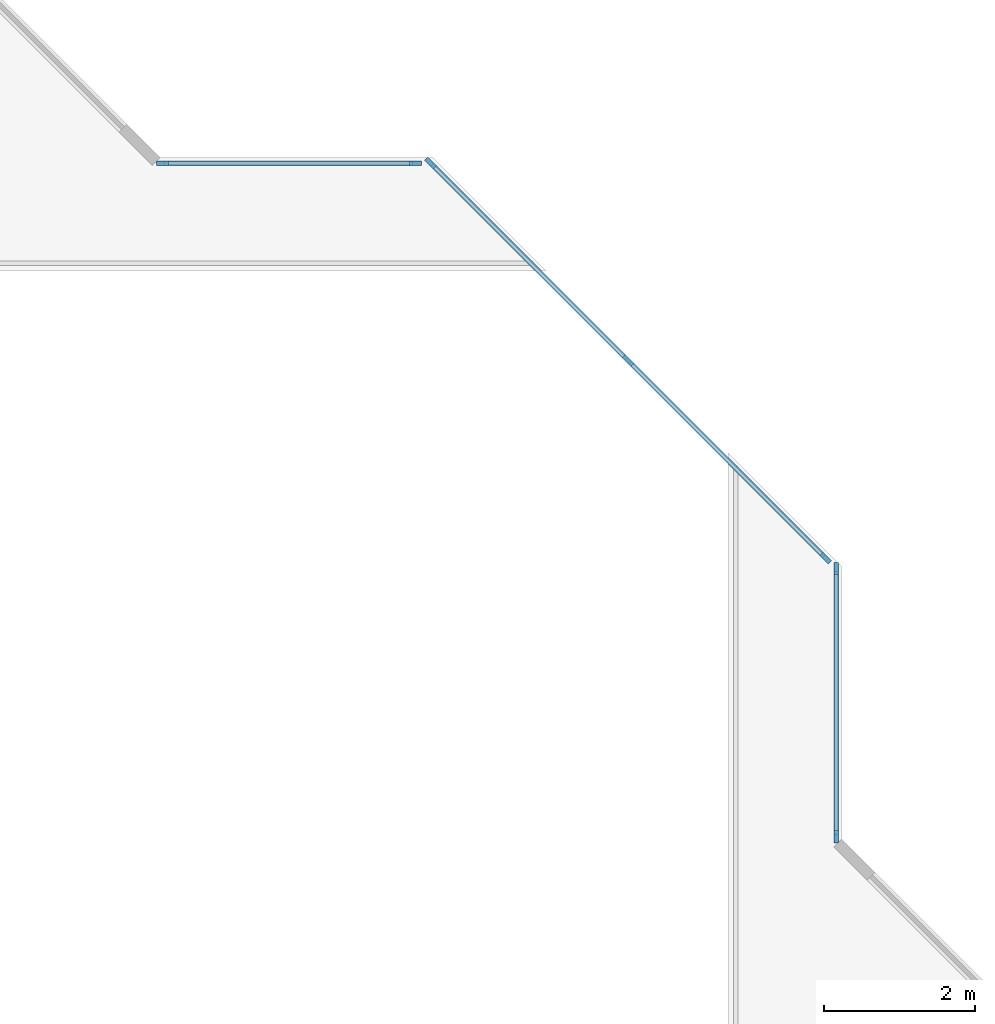
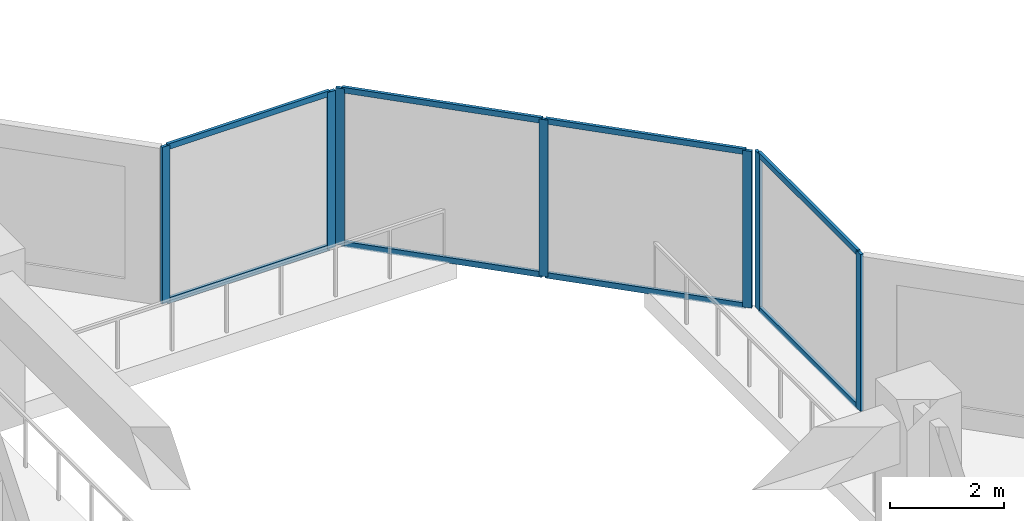
# One storey, part 2 of 15: 15 members, 3 elements without a shape of their own.
"""IFC4 building model written with IfcOpenShell, lengths in metres."""

import ifcopenshell
import ifcopenshell.guid

model = None  # the IFC model being written
_history = None  # IfcOwnerHistory: only IFC2X3 demands one
_inside = {}  # id of a spatial element -> (the spatial element, [elements in it])
_under = {}  # id of a project, library or spatial element -> (it, [spatial elements below it])
_declared = {}  # id of a project -> (the project, [libraries it declares])
_typed = {}  # id of a type object -> (the type object, [elements of that type])
_made_of = {}  # id of a material, layer set ... -> (it, [elements and type objects made of it])


def new_model(schema):
    """Start an empty IFC model of exactly this schema.

    Asked for "IFC4X3", IfcOpenShell would pick the latest addendum, in which some entities
    have other attributes; the version numbers below select the first issue.
    IFC2X3 requires an IfcOwnerHistory on every rooted entity: one is made here for all.
    """
    global model, _history
    if schema == "IFC4X3":
        model = ifcopenshell.file(schema_version=(4, 3, 0, 0))
    else:
        model = ifcopenshell.file(schema=schema)
    _inside.clear()
    _under.clear()
    _declared.clear()
    _typed.clear()
    _made_of.clear()
    _history = None
    if model.schema == "IFC2X3":
        org = make("IfcOrganization", Name="unknown")
        user = make(
            "IfcPersonAndOrganization",
            ThePerson=make("IfcPerson", FamilyName="unknown"),
            TheOrganization=org,
        )
        app = make(
            "IfcApplication",
            ApplicationDeveloper=org,
            Version="unknown",
            ApplicationFullName="unknown",
            ApplicationIdentifier="unknown",
        )
        _history = make(
            "IfcOwnerHistory",
            OwningUser=user,
            OwningApplication=app,
            ChangeAction="ADDED",
            CreationDate=0,
        )
    return model


def make(cls, **values):
    """One entity of the class cls with the attributes given. An attribute that is None is left unset."""
    return model.create_entity(
        cls, **{name: value for name, value in values.items() if value is not None}
    )


def rooted(cls, **values):
    """An entity with a GlobalId (a new one), such as an element, a storey or a relation."""
    return make(cls, GlobalId=ifcopenshell.guid.new(), OwnerHistory=_history, **values)


def si_unit(unit_type, name, prefix=None):
    """IfcSIUnit, for example si_unit("LENGTHUNIT", "METRE", prefix="MILLI")."""
    return make("IfcSIUnit", UnitType=unit_type, Prefix=prefix, Name=name)


def assignment(units):
    """IfcUnitAssignment: the units of a project."""
    return None if units is None else make("IfcUnitAssignment", Units=units)


def point(xyz):
    """IfcCartesianPoint."""
    return None if xyz is None else make("IfcCartesianPoint", Coordinates=xyz)


def direction(xyz):
    """IfcDirection."""
    return None if xyz is None else make("IfcDirection", DirectionRatios=xyz)


def frame(location, z_axis=None, x_axis=None):
    """IfcAxis2Placement3D, a coordinate frame: its origin and axes. An axis left out is left unset."""
    return make(
        "IfcAxis2Placement3D",
        Location=point(location),
        Axis=direction(z_axis),
        RefDirection=direction(x_axis),
    )


def frame_2d(location, x_axis=None):
    """IfcAxis2Placement2D, a coordinate frame in the plane: its origin and x axis."""
    return make(
        "IfcAxis2Placement2D", Location=point(location), RefDirection=direction(x_axis)
    )


def origin():
    """The frame at (0, 0, 0) with its axes left unset."""
    return frame((0.0, 0.0, 0.0))


def origin_2d():
    """The frame at (0, 0) in the plane with its x axis left unset."""
    return frame_2d((0.0, 0.0))


def place(relative_to, where):
    """IfcLocalPlacement: puts the frame where relative to a parent placement (None: the world)."""
    return make(
        "IfcLocalPlacement", PlacementRelTo=relative_to, RelativePlacement=where
    )


def context(
    kind, dimensions, precision=None, world=None, true_north=None, identifier=None
):
    """IfcGeometricRepresentationContext, for example the 3D "Model" context."""
    return make(
        "IfcGeometricRepresentationContext",
        ContextIdentifier=identifier,
        ContextType=kind,
        CoordinateSpaceDimension=dimensions,
        Precision=precision,
        WorldCoordinateSystem=world,
        TrueNorth=true_north,
    )


def subcontext(parent, identifier, kind, view, scale=None):
    """IfcGeometricRepresentationSubContext, for example "Body" below "Model"."""
    return make(
        "IfcGeometricRepresentationSubContext",
        ContextIdentifier=identifier,
        ContextType=kind,
        ParentContext=parent,
        TargetScale=scale,
        TargetView=view,
    )


def project(units=None, contexts=None):
    """IfcProject with its units and contexts."""
    return rooted(
        "IfcProject",
        Name="project",
        RepresentationContexts=contexts,
        UnitsInContext=assignment(units),
    )


def spatial(cls, under=None, at=None, **own):
    """A site, building, storey or space (cls), placed at a placement, below another one or the project."""
    s = rooted(cls, ObjectPlacement=at, **own)
    if under is not None:
        _under.setdefault(under.id(), (under, []))[1].append(s)
    return s


def profile(cls, at=None, kind="AREA", **sizes):
    """A parametric profile (cls). Its sizes go by their IFC names, for example OverallWidth=200.0."""
    return make(cls, ProfileType=kind, Position=at, **sizes)


def rectangle(**sizes):
    """IfcRectangleProfileDef."""
    return profile("IfcRectangleProfileDef", **sizes)


def extrude(swept, where, along, depth):
    """IfcExtrudedAreaSolid: the profile swept, set in the frame where, extruded along a direction by depth."""
    return make(
        "IfcExtrudedAreaSolid",
        SweptArea=swept,
        Position=where,
        ExtrudedDirection=direction(along),
        Depth=depth,
    )


def shape(context_of_items, identifier, shape_type, items):
    """IfcShapeRepresentation: the items that make up one representation, for example the "Body"."""
    return make(
        "IfcShapeRepresentation",
        ContextOfItems=context_of_items,
        RepresentationIdentifier=identifier,
        RepresentationType=shape_type,
        Items=items,
    )


def material(Name=None, Category=None):
    """IfcMaterial."""
    return make("IfcMaterial", Name=Name, Category=Category)


def layer(
    of_material, thickness, ventilated=None, Name=None, Category=None, Priority=None
):
    """IfcMaterialLayer: one layer of a wall or slab, of a material (None: an air gap)."""
    return make(
        "IfcMaterialLayer",
        Material=of_material,
        LayerThickness=thickness,
        IsVentilated=ventilated,
        Name=Name,
        Category=Category,
        Priority=Priority,
    )


def layer_set(layers, Name=None):
    """IfcMaterialLayerSet."""
    return make("IfcMaterialLayerSet", MaterialLayers=layers, LayerSetName=Name)


def material_profile(
    of_material, cross_section, Name=None, Category=None, Priority=None
):
    """IfcMaterialProfile: a cross section and its material."""
    return make(
        "IfcMaterialProfile",
        Name=Name,
        Material=of_material,
        Profile=cross_section,
        Priority=Priority,
        Category=Category,
    )


def profile_set(profiles, Name=None, composite=None):
    """IfcMaterialProfileSet."""
    return make(
        "IfcMaterialProfileSet",
        Name=Name,
        MaterialProfiles=profiles,
        CompositeProfile=composite,
    )


def made_of(thing, what):
    """Note that an element or type object is made of a material, layer set ...; save() writes the relation."""
    if what is not None:
        _made_of.setdefault(what.id(), (what, []))[1].append(thing)
    return thing


def type_object(cls, material=None, **own):
    """A type object (cls), such as IfcWallType, which elements share."""
    return made_of(rooted(cls, **own), material)


def element(
    cls,
    number,
    at=None,
    inside=None,
    cuts=None,
    type_object=None,
    material=None,
    context=None,
    identifier="Body",
    shape_type=None,
    held_by="IfcProductDefinitionShape",
    body=None,
    shapes=None,
    **own,
):
    """One element of the class cls, such as IfcWall. Its Tag is "e" and its number.

    at: its placement. inside: the storey or other place that contains it. cuts: it is an
    opening in that element (IfcRelVoidsElement). A single representation is given by context,
    identifier, shape_type and body (its items); several are given by shapes. held_by: the class
    of the entity that holds the representations. save() writes the other relations.
    """
    e = rooted(cls, Tag="e%d" % number, ObjectPlacement=at, **own)
    if body is not None:
        shapes = [shape(context, identifier, shape_type, body)]
    if shapes is not None:
        e.Representation = make(held_by, Representations=shapes)
    if inside is not None:
        _inside.setdefault(inside.id(), (inside, []))[1].append(e)
    if cuts is not None:
        rooted(
            "IfcRelVoidsElement", RelatingBuildingElement=cuts, RelatedOpeningElement=e
        )
    if type_object is not None:
        _typed.setdefault(type_object.id(), (type_object, []))[1].append(e)
    return made_of(e, material)


def aggregate(whole, parts):
    """IfcRelAggregates: a whole, such as a stair, and the parts it consists of."""
    return rooted("IfcRelAggregates", RelatingObject=whole, RelatedObjects=parts)


def save(model, path):
    """Write the relations noted so far, then the file.

    IfcRelAggregates (storeys below a building ...), IfcRelContainedInSpatialStructure (elements
    in a storey), IfcRelDefinesByType, IfcRelAssociatesMaterial and IfcRelDeclares: one each for
    every whole, place, type object, material and project.
    """
    for whole, parts in _under.values():
        aggregate(whole, parts)
    for where, things in _inside.values():
        rooted(
            "IfcRelContainedInSpatialStructure",
            RelatedElements=things,
            RelatingStructure=where,
        )
    for kind, things in _typed.values():
        rooted("IfcRelDefinesByType", RelatedObjects=things, RelatingType=kind)
    for what, things in _made_of.values():
        rooted("IfcRelAssociatesMaterial", RelatedObjects=things, RelatingMaterial=what)
    for by, libraries in _declared.values():
        rooted("IfcRelDeclares", RelatingContext=by, RelatedDefinitions=libraries)
    model.write(path)


model = new_model("IFC4")

# Units and contexts
model_context = context("Model", 3, precision=1e-05, world=origin(), true_north=direction((0.0, 1.0)))
body_context = subcontext(model_context, "Body", "Model", "MODEL_VIEW")
ifc_project = project(units=[si_unit("LENGTHUNIT", "METRE"), si_unit("AREAUNIT", "SQUARE_METRE"), si_unit("VOLUMEUNIT", "CUBIC_METRE"), si_unit("PLANEANGLEUNIT", "RADIAN"), si_unit("MASSUNIT", "GRAM", prefix="KILO")], contexts=[model_context])

# Site, building, storey
site_placement = place(None, origin())
site = spatial("IfcSite", under=ifc_project, at=site_placement, CompositionType="ELEMENT")
building_placement = place(site_placement, origin())
building = spatial("IfcBuilding", under=site, at=building_placement, Name="Chenar Terraces", CompositionType="ELEMENT")
storey_placement = place(building_placement, frame((0.0, 0.0, 60.14990234375)))
storey = spatial("IfcBuildingStorey", under=building, at=storey_placement, Name="L12", CompositionType="ELEMENT", Elevation=60.14990234375)

# Curtain wall, members
ifc_material_1 = material(Name="Aluminium framed glazing", Category="aluminium")
ifc_layer = layer(ifc_material_1, 0.14990234375)
ifc_layer_set = layer_set([ifc_layer], Name="Aluminium framed glazing")
curtain_wall_type = type_object("IfcCurtainWallType", Name="Atrium curtain wall", PredefinedType="NOTDEFINED", material=ifc_layer_set)
placement = place(storey_placement, origin())
curtain_wall_1 = element("IfcCurtainWall", 1, at=placement, inside=storey, type_object=curtain_wall_type, Name="Atrium curtain wall", PredefinedType="NOTDEFINED")
ifc_material_2 = material(Name="Aluminium", Category="aluminium")
ifc_material_profile_1 = material_profile(ifc_material_2, rectangle(XDim=0.06005859375, YDim=0.159912109375, at=origin_2d()), Name="Atrium glazing mullion 60 x 160")
ifc_profile_set_1 = profile_set([ifc_material_profile_1], Name="Aluminium")
member_type_1 = type_object("IfcMemberType", Name="Atrium glazing mullion 60 x 160", PredefinedType="MULLION", material=ifc_profile_set_1)
member_1_placement = place(storey_placement, frame((37.425048828125, 28.530029296875, 0.0), z_axis=(0.0, 0.0, 1.0), x_axis=(-1.0, 0.0, 0.0)))
member_1 = element("IfcMember", 2, at=member_1_placement, type_object=member_type_1, Name="CW1-1 mullion 1", PredefinedType="MULLION", context=body_context, shape_type="SweptSolid", body=[
    extrude(rectangle(XDim=0.06005859375, YDim=0.159912109375, at=origin_2d()), origin(), (0.0, 0.0, 1.0), 3.35009765625),
])
member_2_placement = place(storey_placement, frame((37.425048828125, 32.070068359375, 0.0), z_axis=(0.0, 0.0, 1.0), x_axis=(-1.0, 0.0, 0.0)))
member_2 = element("IfcMember", 3, at=member_2_placement, type_object=member_type_1, Name="CW1-1 mullion 2", PredefinedType="MULLION", context=body_context, shape_type="SweptSolid", body=[
    extrude(rectangle(XDim=0.06005859375, YDim=0.159912109375, at=origin_2d()), origin(), (0.0, 0.0, 1.0), 3.35009765625),
])

curtain_wall_2 = element("IfcCurtainWall", 4, at=placement, inside=storey, type_object=curtain_wall_type, Name="Atrium curtain wall", PredefinedType="NOTDEFINED")
member_3_placement = place(storey_placement, frame((37.284423828125, 32.209716796875, 0.0), z_axis=(0.0, 0.0, 1.0), x_axis=(-0.707106781187, -0.707106781187, 0.0)))
member_3 = element("IfcMember", 5, at=member_3_placement, type_object=member_type_1, Name="CW1-2 mullion 1", PredefinedType="MULLION", context=body_context, shape_type="SweptSolid", body=[
    extrude(rectangle(XDim=0.06005859375, YDim=0.159912109375, at=origin_2d()), origin(), (0.0, 0.0, 1.0), 3.35009765625),
])
member_4_placement = place(storey_placement, frame((34.67626953125, 34.817626953125, 0.0), z_axis=(0.0, 0.0, 1.0), x_axis=(-0.707106781187, -0.707106781187, 0.0)))
member_4 = element("IfcMember", 6, at=member_4_placement, type_object=member_type_1, Name="CW1-2 mullion 2", PredefinedType="MULLION", context=body_context, shape_type="SweptSolid", body=[
    extrude(rectangle(XDim=0.06005859375, YDim=0.159912109375, at=origin_2d()), origin(), (0.0, 0.0, 1.0), 3.35009765625),
])
member_5_placement = place(storey_placement, frame((32.068115234375, 37.42578125, 0.0), z_axis=(0.0, 0.0, 1.0), x_axis=(-0.707106781187, -0.707106781187, 0.0)))
member_5 = element("IfcMember", 7, at=member_5_placement, type_object=member_type_1, Name="CW1-2 mullion 3", PredefinedType="MULLION", context=body_context, shape_type="SweptSolid", body=[
    extrude(rectangle(XDim=0.06005859375, YDim=0.159912109375, at=origin_2d()), origin(), (0.0, 0.0, 1.0), 3.35009765625),
])

curtain_wall_3 = element("IfcCurtainWall", 8, at=placement, inside=storey, type_object=curtain_wall_type, Name="Atrium curtain wall", PredefinedType="NOTDEFINED")
member_6_placement = place(storey_placement, frame((31.8701171875, 37.425048828125, 0.0), z_axis=(0.0, 0.0, 1.0), x_axis=(0.0, -1.0, 0.0)))
member_6 = element("IfcMember", 9, at=member_6_placement, type_object=member_type_1, Name="CW1-3 mullion 1", PredefinedType="MULLION", context=body_context, shape_type="SweptSolid", body=[
    extrude(rectangle(XDim=0.06005859375, YDim=0.159912109375, at=origin_2d()), origin(), (0.0, 0.0, 1.0), 3.35009765625),
])
member_7_placement = place(storey_placement, frame((28.530029296875, 37.425048828125, 0.0), z_axis=(0.0, 0.0, 1.0), x_axis=(0.0, -1.0, 0.0)))
member_7 = element("IfcMember", 10, at=member_7_placement, type_object=member_type_1, Name="CW1-3 mullion 2", PredefinedType="MULLION", context=body_context, shape_type="SweptSolid", body=[
    extrude(rectangle(XDim=0.06005859375, YDim=0.159912109375, at=origin_2d()), origin(), (0.0, 0.0, 1.0), 3.35009765625),
])

# Member
ifc_material_3 = material(Name="Aluminium", Category="aluminium")
ifc_material_profile_2 = material_profile(ifc_material_3, rectangle(XDim=0.06005859375, YDim=0.1201171875, at=origin_2d()), Name="Atrium glazing transom 60 x 120")
ifc_profile_set_2 = profile_set([ifc_material_profile_2], Name="Aluminium")
member_type_2 = type_object("IfcMemberType", Name="Atrium glazing transom 60 x 120", PredefinedType="USERDEFINED", material=ifc_profile_set_2)
member_8_placement = place(storey_placement, frame((37.425048828125, 28.56005859375, 0.030029296875), z_axis=(0.0, 1.0, 0.0), x_axis=(-1.0, 0.0, 0.0)))
member_8 = element("IfcMember", 11, at=member_8_placement, type_object=member_type_2, Name="CW1-1 transom 1.1", ObjectType="TRANSOM", PredefinedType="USERDEFINED", context=body_context, shape_type="SweptSolid", body=[
    extrude(rectangle(XDim=0.06005859375, YDim=0.1201171875, at=origin_2d()), origin(), (0.0, 0.0, 1.0), 3.47998046875),
])

member_9_placement = place(storey_placement, frame((37.425048828125, 28.56005859375, 3.320068359375), z_axis=(0.0, 1.0, 0.0), x_axis=(-1.0, 0.0, 0.0)))
member_9 = element("IfcMember", 12, at=member_9_placement, type_object=member_type_2, Name="CW1-1 transom 1.2", ObjectType="TRANSOM", PredefinedType="USERDEFINED", context=body_context, shape_type="SweptSolid", body=[
    extrude(rectangle(XDim=0.06005859375, YDim=0.1201171875, at=origin_2d()), origin(), (0.0, 0.0, 1.0), 3.47998046875),
])

aggregate(curtain_wall_1, [member_1, member_2, member_8, member_9])

member_10_placement = place(storey_placement, frame((37.26318359375, 32.230712890625, 0.030029296875), z_axis=(-0.707106781187, 0.707106781187, 0.0), x_axis=(-0.707106781187, -0.707106781187, 0.0)))
member_10 = element("IfcMember", 13, at=member_10_placement, type_object=member_type_2, Name="CW1-2 transom 1.1", ObjectType="TRANSOM", PredefinedType="USERDEFINED", context=body_context, shape_type="SweptSolid", body=[
    extrude(rectangle(XDim=0.06005859375, YDim=0.1201171875, at=origin_2d()), origin(), (0.0, 0.0, 1.0), 3.62841796875),
])

member_11_placement = place(storey_placement, frame((37.26318359375, 32.230712890625, 3.320068359375), z_axis=(-0.707106781187, 0.707106781187, 0.0), x_axis=(-0.707106781187, -0.707106781187, 0.0)))
member_11 = element("IfcMember", 14, at=member_11_placement, type_object=member_type_2, Name="CW1-2 transom 1.2", ObjectType="TRANSOM", PredefinedType="USERDEFINED", context=body_context, shape_type="SweptSolid", body=[
    extrude(rectangle(XDim=0.06005859375, YDim=0.1201171875, at=origin_2d()), origin(), (0.0, 0.0, 1.0), 3.62841796875),
])

member_12_placement = place(storey_placement, frame((34.655029296875, 34.8388671875, 0.030029296875), z_axis=(-0.707106781187, 0.707106781187, 0.0), x_axis=(-0.707106781187, -0.707106781187, 0.0)))
member_12 = element("IfcMember", 15, at=member_12_placement, type_object=member_type_2, Name="CW1-2 transom 2.1", ObjectType="TRANSOM", PredefinedType="USERDEFINED", context=body_context, shape_type="SweptSolid", body=[
    extrude(rectangle(XDim=0.06005859375, YDim=0.1201171875, at=origin_2d()), origin(), (0.0, 0.0, 1.0), 3.62841796875),
])

member_13_placement = place(storey_placement, frame((34.655029296875, 34.8388671875, 3.320068359375), z_axis=(-0.707106781187, 0.707106781187, 0.0), x_axis=(-0.707106781187, -0.707106781187, 0.0)))
member_13 = element("IfcMember", 16, at=member_13_placement, type_object=member_type_2, Name="CW1-2 transom 2.2", ObjectType="TRANSOM", PredefinedType="USERDEFINED", context=body_context, shape_type="SweptSolid", body=[
    extrude(rectangle(XDim=0.06005859375, YDim=0.1201171875, at=origin_2d()), origin(), (0.0, 0.0, 1.0), 3.62841796875),
])

aggregate(curtain_wall_2, [member_3, member_4, member_5, member_10, member_11, member_12, member_13])

member_14_placement = place(storey_placement, frame((31.840087890625, 37.425048828125, 0.030029296875), z_axis=(-1.0, 0.0, 0.0), x_axis=(0.0, -1.0, 0.0)))
member_14 = element("IfcMember", 17, at=member_14_placement, type_object=member_type_2, Name="CW1-3 transom 1.1", ObjectType="TRANSOM", PredefinedType="USERDEFINED", context=body_context, shape_type="SweptSolid", body=[
    extrude(rectangle(XDim=0.06005859375, YDim=0.1201171875, at=origin_2d()), origin(), (0.0, 0.0, 1.0), 3.280029296875),
])

member_15_placement = place(storey_placement, frame((31.840087890625, 37.425048828125, 3.320068359375), z_axis=(-1.0, 0.0, 0.0), x_axis=(0.0, -1.0, 0.0)))
member_15 = element("IfcMember", 18, at=member_15_placement, type_object=member_type_2, Name="CW1-3 transom 1.2", ObjectType="TRANSOM", PredefinedType="USERDEFINED", context=body_context, shape_type="SweptSolid", body=[
    extrude(rectangle(XDim=0.06005859375, YDim=0.1201171875, at=origin_2d()), origin(), (0.0, 0.0, 1.0), 3.280029296875),
])

aggregate(curtain_wall_3, [member_6, member_7, member_14, member_15])

save(model, "model.ifc")
